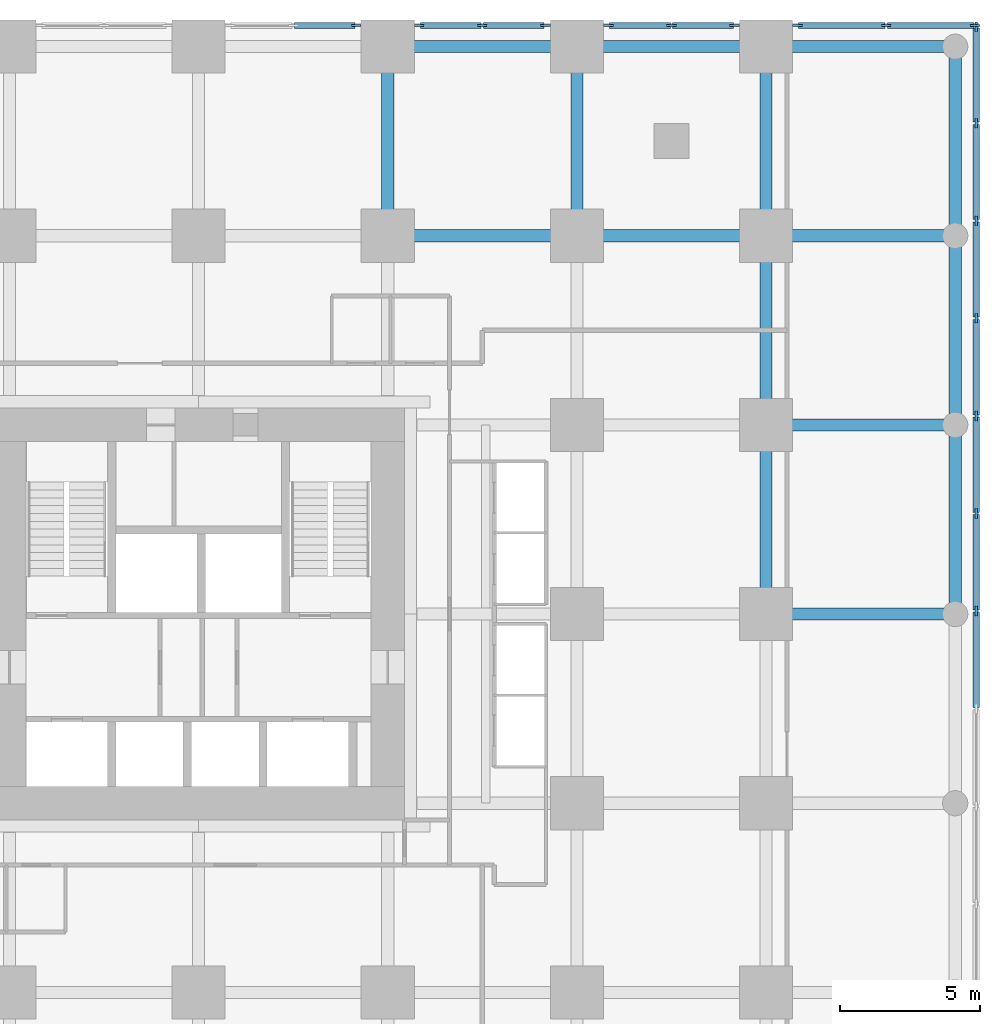
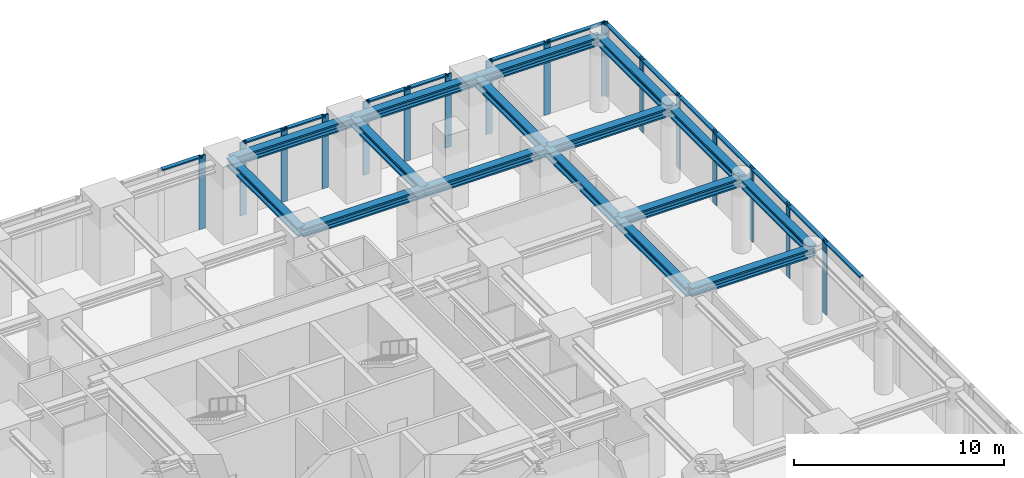
# One storey, part 5 of 10: 31 members, 16 beams, 5 elements without a shape of their own.
"""IFC4 building model written with IfcOpenShell, lengths in metres."""

from ifc_helpers import new_model, si_unit, direction, frame, origin, origin_2d, place, context, subcontext, project, spatial, rectangle, i_section, extrude, material, material_profile, profile_set, type_object, element, aggregate, save


model = new_model("IFC4")

# Units and contexts
model_context = context("Model", 3, precision=1e-05, world=origin(), true_north=direction((0.0, 1.0)))
body_context = subcontext(model_context, "Body", "Model", "MODEL_VIEW")
ifc_project = project(units=[si_unit("LENGTHUNIT", "METRE"), si_unit("AREAUNIT", "SQUARE_METRE"), si_unit("VOLUMEUNIT", "CUBIC_METRE"), si_unit("PLANEANGLEUNIT", "RADIAN"), si_unit("MASSUNIT", "GRAM", prefix="KILO")], contexts=[model_context])

# Site, building, storey
site_placement = place(None, origin())
site = spatial("IfcSite", under=ifc_project, at=site_placement, CompositionType="ELEMENT")
building_placement = place(site_placement, origin())
building = spatial("IfcBuilding", under=site, at=building_placement, Name="Nyansa Garden Tower", CompositionType="ELEMENT")
storey_placement = place(building_placement, frame((0.0, 0.0, 9.0)))
storey = spatial("IfcBuildingStorey", under=building, at=storey_placement, Name="L02", CompositionType="ELEMENT", Elevation=9.0)

# Curtain wall, members
ifc_material_1 = material(Name="Black anodised aluminium, clear double glazing", Category="aluminium")
curtain_wall_type = type_object("IfcCurtainWallType", Name="Podium curtain wall PCW", PredefinedType="USERDEFINED", material=ifc_material_1)
curtain_wall_1_placement = place(storey_placement, origin())
curtain_wall_1 = element("IfcCurtainWall", 1, at=curtain_wall_1_placement, inside=storey, type_object=curtain_wall_type, Name="Podium curtain wall L02 E", ObjectType="STICK CURTAIN WALL", PredefinedType="USERDEFINED")
ifc_material_2 = material(Name="Black anodised aluminium", Category="aluminium")
ifc_material_profile_1 = material_profile(ifc_material_2, rectangle(XDim=0.080078125, YDim=0.35009765625, at=origin_2d()), Name="Mullion 350x80")
ifc_profile_set_1 = profile_set([ifc_material_profile_1], Name="Black anodised aluminium")
member_type_1 = type_object("IfcMemberType", Name="Mullion PCW 350x80", PredefinedType="MULLION", material=ifc_profile_set_1)
member_1_placement = place(storey_placement, frame((48.0, 20.357177734375, 0.0), z_axis=(0.0, 0.0, 1.0), x_axis=(-1.0, 0.0, 0.0)))
member_1 = element("IfcMember", 2, at=member_1_placement, type_object=member_type_1, Name="PCW mullion 9", PredefinedType="MULLION", context=body_context, shape_type="SweptSolid", body=[
    extrude(rectangle(XDim=0.080078125, YDim=0.35009765625, at=origin_2d()), origin(), (0.0, 0.0, 1.0), 4.25),
])
member_2_placement = place(storey_placement, frame((48.0, 23.83935546875, 0.0), z_axis=(0.0, 0.0, 1.0), x_axis=(-1.0, 0.0, 0.0)))
member_2 = element("IfcMember", 3, at=member_2_placement, type_object=member_type_1, Name="PCW mullion 10", PredefinedType="MULLION", context=body_context, shape_type="SweptSolid", body=[
    extrude(rectangle(XDim=0.080078125, YDim=0.35009765625, at=origin_2d()), origin(), (0.0, 0.0, 1.0), 4.25),
])
member_3_placement = place(storey_placement, frame((48.0, 27.321533203125, 0.0), z_axis=(0.0, 0.0, 1.0), x_axis=(-1.0, 0.0, 0.0)))
member_3 = element("IfcMember", 4, at=member_3_placement, type_object=member_type_1, Name="PCW mullion 11", PredefinedType="MULLION", context=body_context, shape_type="SweptSolid", body=[
    extrude(rectangle(XDim=0.080078125, YDim=0.35009765625, at=origin_2d()), origin(), (0.0, 0.0, 1.0), 4.25),
])
member_4_placement = place(storey_placement, frame((48.0, 30.803466796875, 0.0), z_axis=(0.0, 0.0, 1.0), x_axis=(-1.0, 0.0, 0.0)))
member_4 = element("IfcMember", 5, at=member_4_placement, type_object=member_type_1, Name="PCW mullion 12", PredefinedType="MULLION", context=body_context, shape_type="SweptSolid", body=[
    extrude(rectangle(XDim=0.080078125, YDim=0.35009765625, at=origin_2d()), origin(), (0.0, 0.0, 1.0), 4.25),
])
member_5_placement = place(storey_placement, frame((48.0, 34.28564453125, 0.0), z_axis=(0.0, 0.0, 1.0), x_axis=(-1.0, 0.0, 0.0)))
member_5 = element("IfcMember", 6, at=member_5_placement, type_object=member_type_1, Name="PCW mullion 13", PredefinedType="MULLION", context=body_context, shape_type="SweptSolid", body=[
    extrude(rectangle(XDim=0.080078125, YDim=0.35009765625, at=origin_2d()), origin(), (0.0, 0.0, 1.0), 4.25),
])
member_6_placement = place(storey_placement, frame((48.0, 37.767822265625, 0.0), z_axis=(0.0, 0.0, 1.0), x_axis=(-1.0, 0.0, 0.0)))
member_6 = element("IfcMember", 7, at=member_6_placement, type_object=member_type_1, Name="PCW mullion 14", PredefinedType="MULLION", context=body_context, shape_type="SweptSolid", body=[
    extrude(rectangle(XDim=0.080078125, YDim=0.35009765625, at=origin_2d()), origin(), (0.0, 0.0, 1.0), 4.25),
])
member_7_placement = place(storey_placement, frame((48.0, 41.2099609375, 0.0), z_axis=(0.0, 0.0, 1.0), x_axis=(-1.0, 0.0, 0.0)))
member_7 = element("IfcMember", 8, at=member_7_placement, type_object=member_type_1, Name="PCW mullion 15", PredefinedType="MULLION", context=body_context, shape_type="SweptSolid", body=[
    extrude(rectangle(XDim=0.080078125, YDim=0.35009765625, at=origin_2d()), origin(), (0.0, 0.0, 1.0), 4.25),
])

curtain_wall_2_placement = place(storey_placement, origin())
curtain_wall_2 = element("IfcCurtainWall", 9, at=curtain_wall_2_placement, inside=storey, type_object=curtain_wall_type, Name="Podium curtain wall L02 N", ObjectType="STICK CURTAIN WALL", PredefinedType="USERDEFINED")
member_8_placement = place(storey_placement, frame((47.9599609375, 41.25, 0.0), z_axis=(0.0, 0.0, 1.0), x_axis=(0.0, -1.0, 0.0)))
member_8 = element("IfcMember", 10, at=member_8_placement, type_object=member_type_1, Name="PCW mullion 1", PredefinedType="MULLION", context=body_context, shape_type="SweptSolid", body=[
    extrude(rectangle(XDim=0.080078125, YDim=0.35009765625, at=origin_2d()), origin(), (0.0, 0.0, 1.0), 4.25),
])
member_9_placement = place(storey_placement, frame((44.79248046875, 41.25, 0.0), z_axis=(0.0, 0.0, 1.0), x_axis=(0.0, -1.0, 0.0)))
member_9 = element("IfcMember", 11, at=member_9_placement, type_object=member_type_1, Name="PCW mullion 2", PredefinedType="MULLION", context=body_context, shape_type="SweptSolid", body=[
    extrude(rectangle(XDim=0.080078125, YDim=0.35009765625, at=origin_2d()), origin(), (0.0, 0.0, 1.0), 4.25),
])
member_10_placement = place(storey_placement, frame((41.625, 41.25, 0.0), z_axis=(0.0, 0.0, 1.0), x_axis=(0.0, -1.0, 0.0)))
member_10 = element("IfcMember", 12, at=member_10_placement, type_object=member_type_1, Name="PCW mullion 3", PredefinedType="MULLION", context=body_context, shape_type="SweptSolid", body=[
    extrude(rectangle(XDim=0.080078125, YDim=0.35009765625, at=origin_2d()), origin(), (0.0, 0.0, 1.0), 4.25),
])

curtain_wall_3_placement = place(storey_placement, origin())
curtain_wall_3 = element("IfcCurtainWall", 13, at=curtain_wall_3_placement, inside=storey, type_object=curtain_wall_type, Name="Podium curtain wall L02 N", ObjectType="STICK CURTAIN WALL", PredefinedType="USERDEFINED")
member_11_placement = place(storey_placement, frame((39.375, 41.25, 0.0), z_axis=(0.0, 0.0, 1.0), x_axis=(0.0, -1.0, 0.0)))
member_11 = element("IfcMember", 14, at=member_11_placement, type_object=member_type_1, Name="PCW mullion 1", PredefinedType="MULLION", context=body_context, shape_type="SweptSolid", body=[
    extrude(rectangle(XDim=0.080078125, YDim=0.35009765625, at=origin_2d()), origin(), (0.0, 0.0, 1.0), 4.25),
])
member_12_placement = place(storey_placement, frame((37.125, 41.25, 0.0), z_axis=(0.0, 0.0, 1.0), x_axis=(0.0, -1.0, 0.0)))
member_12 = element("IfcMember", 15, at=member_12_placement, type_object=member_type_1, Name="PCW mullion 2", PredefinedType="MULLION", context=body_context, shape_type="SweptSolid", body=[
    extrude(rectangle(XDim=0.080078125, YDim=0.35009765625, at=origin_2d()), origin(), (0.0, 0.0, 1.0), 4.25),
])
member_13_placement = place(storey_placement, frame((34.875, 41.25, 0.0), z_axis=(0.0, 0.0, 1.0), x_axis=(0.0, -1.0, 0.0)))
member_13 = element("IfcMember", 16, at=member_13_placement, type_object=member_type_1, Name="PCW mullion 3", PredefinedType="MULLION", context=body_context, shape_type="SweptSolid", body=[
    extrude(rectangle(XDim=0.080078125, YDim=0.35009765625, at=origin_2d()), origin(), (0.0, 0.0, 1.0), 4.25),
])

curtain_wall_4_placement = place(storey_placement, origin())
curtain_wall_4 = element("IfcCurtainWall", 17, at=curtain_wall_4_placement, inside=storey, type_object=curtain_wall_type, Name="Podium curtain wall L02 N", ObjectType="STICK CURTAIN WALL", PredefinedType="USERDEFINED")
member_14_placement = place(storey_placement, frame((32.625, 41.25, 0.0), z_axis=(0.0, 0.0, 1.0), x_axis=(0.0, -1.0, 0.0)))
member_14 = element("IfcMember", 18, at=member_14_placement, type_object=member_type_1, Name="PCW mullion 1", PredefinedType="MULLION", context=body_context, shape_type="SweptSolid", body=[
    extrude(rectangle(XDim=0.080078125, YDim=0.35009765625, at=origin_2d()), origin(), (0.0, 0.0, 1.0), 4.25),
])
member_15_placement = place(storey_placement, frame((30.375, 41.25, 0.0), z_axis=(0.0, 0.0, 1.0), x_axis=(0.0, -1.0, 0.0)))
member_15 = element("IfcMember", 19, at=member_15_placement, type_object=member_type_1, Name="PCW mullion 2", PredefinedType="MULLION", context=body_context, shape_type="SweptSolid", body=[
    extrude(rectangle(XDim=0.080078125, YDim=0.35009765625, at=origin_2d()), origin(), (0.0, 0.0, 1.0), 4.25),
])
member_16_placement = place(storey_placement, frame((28.125, 41.25, 0.0), z_axis=(0.0, 0.0, 1.0), x_axis=(0.0, -1.0, 0.0)))
member_16 = element("IfcMember", 20, at=member_16_placement, type_object=member_type_1, Name="PCW mullion 3", PredefinedType="MULLION", context=body_context, shape_type="SweptSolid", body=[
    extrude(rectangle(XDim=0.080078125, YDim=0.35009765625, at=origin_2d()), origin(), (0.0, 0.0, 1.0), 4.25),
])

# Curtain wall, member
curtain_wall_5_placement = place(storey_placement, origin())
curtain_wall_5 = element("IfcCurtainWall", 21, at=curtain_wall_5_placement, inside=storey, type_object=curtain_wall_type, Name="Podium curtain wall L02 N", ObjectType="STICK CURTAIN WALL", PredefinedType="USERDEFINED")
member_17_placement = place(storey_placement, frame((25.875, 41.25, 0.0), z_axis=(0.0, 0.0, 1.0), x_axis=(0.0, -1.0, 0.0)))
member_17 = element("IfcMember", 22, at=member_17_placement, type_object=member_type_1, Name="PCW mullion 1", PredefinedType="MULLION", context=body_context, shape_type="SweptSolid", body=[
    extrude(rectangle(XDim=0.080078125, YDim=0.35009765625, at=origin_2d()), origin(), (0.0, 0.0, 1.0), 4.25),
])

# Beams
ifc_material_3 = material(Name="Steel S355", Category="steel")
ifc_material_profile_2 = material_profile(ifc_material_3, i_section(OverallWidth=0.431884765625, OverallDepth=0.498046875, WebThickness=0.0556640625, FlangeThickness=0.0888671875, FilletRadius=0.014892578125, at=origin_2d()), Name="HD 400x744")
ifc_profile_set_2 = profile_set([ifc_material_profile_2], Name="Steel S355")
beam_type_1 = type_object("IfcBeamType", Name="Steel beam SBP1-744 HD 400x744", PredefinedType="BEAM", material=ifc_profile_set_2)
for number, where, z_axis, x_axis, name in (
    (23, (27.0, 33.75, 4.0009765625), (0.0, 1.0, 0.0), (-1.0, 0.0, 0.0), "Steel beam 6/J-6/K L03"),
    (24, (27.0, 33.75, 4.0009765625), (1.0, 0.0, 0.0), (0.0, 1.0, 0.0), "Steel beam 6/J-7/J L03"),
    (25, (33.75, 33.75, 4.0009765625), (0.0, 1.0, 0.0), (-1.0, 0.0, 0.0), "Steel beam 7/J-7/K L03"),
    (26, (33.75, 33.75, 4.0009765625), (1.0, 0.0, 0.0), (0.0, 1.0, 0.0), "Steel beam 7/J-8/J L03"),
    (27, (40.5, 20.25, 4.0009765625), (0.0, 1.0, 0.0), (-1.0, 0.0, 0.0), "Steel beam 8/G-8/H L03"),
    (28, (40.5, 20.25, 4.0009765625), (1.0, 0.0, 0.0), (0.0, 1.0, 0.0), "Steel beam 8/G-9/G L03"),
    (29, (40.5, 27.0, 4.0009765625), (0.0, 1.0, 0.0), (-1.0, 0.0, 0.0), "Steel beam 8/H-8/J L03"),
    (30, (40.5, 27.0, 4.0009765625), (1.0, 0.0, 0.0), (0.0, 1.0, 0.0), "Steel beam 8/H-9/H L03"),
    (31, (40.5, 33.75, 4.0009765625), (0.0, 1.0, 0.0), (-1.0, 0.0, 0.0), "Steel beam 8/J-8/K L03"),
    (32, (40.5, 33.75, 4.0009765625), (1.0, 0.0, 0.0), (0.0, 1.0, 0.0), "Steel beam 8/J-9/J L03"),
):
    element("IfcBeam", number, at=place(storey_placement, frame(where, z_axis=z_axis, x_axis=x_axis)), inside=storey, type_object=beam_type_1, Name=name, PredefinedType="BEAM", context=body_context, shape_type="SweptSolid", body=[
        extrude(i_section(OverallWidth=0.431884765625, OverallDepth=0.498046875, WebThickness=0.0556640625, FlangeThickness=0.0888671875, FilletRadius=0.014892578125, at=origin_2d()), origin(), (0.0, 0.0, 1.0), 6.75),
    ])
ifc_material_4 = material(Name="Steel S355", Category="steel")
ifc_material_profile_3 = material_profile(ifc_material_4, i_section(OverallWidth=0.431884765625, OverallDepth=0.498046875, WebThickness=0.0556640625, FlangeThickness=0.0888671875, FilletRadius=0.014892578125, at=origin_2d()), Name="HD 400x744")
ifc_profile_set_3 = profile_set([ifc_material_profile_3], Name="Steel S355")
beam_type_2 = type_object("IfcBeamType", Name="Steel beam SEBP-744 HD 400x744", PredefinedType="BEAM", material=ifc_profile_set_3)
for number, where, z_axis, x_axis, name in (
    (33, (27.0, 40.5, 4.0009765625), (1.0, 0.0, 0.0), (0.0, 1.0, 0.0), "Steel edge beam 6/K-7/K L03"),
    (34, (33.75, 40.5, 4.0009765625), (1.0, 0.0, 0.0), (0.0, 1.0, 0.0), "Steel edge beam 7/K-8/K L03"),
    (35, (40.5, 40.5, 4.0009765625), (1.0, 0.0, 0.0), (0.0, 1.0, 0.0), "Steel edge beam 8/K-9/K L03"),
    (36, (47.25, 20.25, 4.0009765625), (0.0, 1.0, 0.0), (-1.0, 0.0, 0.0), "Steel edge beam 9/G-9/H L03"),
    (37, (47.25, 27.0, 4.0009765625), (0.0, 1.0, 0.0), (-1.0, 0.0, 0.0), "Steel edge beam 9/H-9/J L03"),
    (38, (47.25, 33.75, 4.0009765625), (0.0, 1.0, 0.0), (-1.0, 0.0, 0.0), "Steel edge beam 9/J-9/K L03"),
):
    element("IfcBeam", number, at=place(storey_placement, frame(where, z_axis=z_axis, x_axis=x_axis)), inside=storey, type_object=beam_type_2, Name=name, PredefinedType="BEAM", context=body_context, shape_type="SweptSolid", body=[
        extrude(i_section(OverallWidth=0.431884765625, OverallDepth=0.498046875, WebThickness=0.0556640625, FlangeThickness=0.0888671875, FilletRadius=0.014892578125, at=origin_2d()), origin(), (0.0, 0.0, 1.0), 6.75),
    ])

# Member
ifc_material_5 = material(Name="Black anodised aluminium", Category="aluminium")
ifc_material_profile_4 = material_profile(ifc_material_5, rectangle(XDim=0.219970703125, YDim=0.080078125, at=origin_2d()), Name="Transom 220x80")
ifc_profile_set_4 = profile_set([ifc_material_profile_4], Name="Black anodised aluminium")
member_type_2 = type_object("IfcMemberType", Name="Transom PCW 220x80", PredefinedType="USERDEFINED", material=ifc_profile_set_4)
member_18_placement = place(storey_placement, frame((48.0, 16.9150390625, 4.2099609375), z_axis=(0.0, 1.0, 0.0), x_axis=(-1.0, 0.0, 0.0)))
member_18 = element("IfcMember", 39, at=member_18_placement, type_object=member_type_2, Name="PCW transom 8", ObjectType="TRANSOM", PredefinedType="USERDEFINED", context=body_context, shape_type="SweptSolid", body=[
    extrude(rectangle(XDim=0.219970703125, YDim=0.080078125, at=origin_2d()), origin(), (0.0, 0.0, 1.0), 3.402099609375),
])

member_19_placement = place(storey_placement, frame((48.0, 20.397216796875, 4.2099609375), z_axis=(0.0, 1.0, 0.0), x_axis=(-1.0, 0.0, 0.0)))
member_19 = element("IfcMember", 40, at=member_19_placement, type_object=member_type_2, Name="PCW transom 9", ObjectType="TRANSOM", PredefinedType="USERDEFINED", context=body_context, shape_type="SweptSolid", body=[
    extrude(rectangle(XDim=0.219970703125, YDim=0.080078125, at=origin_2d()), origin(), (0.0, 0.0, 1.0), 3.402099609375),
])

member_20_placement = place(storey_placement, frame((48.0, 23.87939453125, 4.2099609375), z_axis=(0.0, 1.0, 0.0), x_axis=(-1.0, 0.0, 0.0)))
member_20 = element("IfcMember", 41, at=member_20_placement, type_object=member_type_2, Name="PCW transom 10", ObjectType="TRANSOM", PredefinedType="USERDEFINED", context=body_context, shape_type="SweptSolid", body=[
    extrude(rectangle(XDim=0.219970703125, YDim=0.080078125, at=origin_2d()), origin(), (0.0, 0.0, 1.0), 3.402099609375),
])

member_21_placement = place(storey_placement, frame((48.0, 27.361328125, 4.2099609375), z_axis=(0.0, 1.0, 0.0), x_axis=(-1.0, 0.0, 0.0)))
member_21 = element("IfcMember", 42, at=member_21_placement, type_object=member_type_2, Name="PCW transom 11", ObjectType="TRANSOM", PredefinedType="USERDEFINED", context=body_context, shape_type="SweptSolid", body=[
    extrude(rectangle(XDim=0.219970703125, YDim=0.080078125, at=origin_2d()), origin(), (0.0, 0.0, 1.0), 3.40234375),
])

member_22_placement = place(storey_placement, frame((48.0, 30.843505859375, 4.2099609375), z_axis=(0.0, 1.0, 0.0), x_axis=(-1.0, 0.0, 0.0)))
member_22 = element("IfcMember", 43, at=member_22_placement, type_object=member_type_2, Name="PCW transom 12", ObjectType="TRANSOM", PredefinedType="USERDEFINED", context=body_context, shape_type="SweptSolid", body=[
    extrude(rectangle(XDim=0.219970703125, YDim=0.080078125, at=origin_2d()), origin(), (0.0, 0.0, 1.0), 3.402099609375),
])

member_23_placement = place(storey_placement, frame((48.0, 34.32568359375, 4.2099609375), z_axis=(0.0, 1.0, 0.0), x_axis=(-1.0, 0.0, 0.0)))
member_23 = element("IfcMember", 44, at=member_23_placement, type_object=member_type_2, Name="PCW transom 13", ObjectType="TRANSOM", PredefinedType="USERDEFINED", context=body_context, shape_type="SweptSolid", body=[
    extrude(rectangle(XDim=0.219970703125, YDim=0.080078125, at=origin_2d()), origin(), (0.0, 0.0, 1.0), 3.402099609375),
])

member_24_placement = place(storey_placement, frame((48.0, 37.807861328125, 4.2099609375), z_axis=(0.0, 1.0, 0.0), x_axis=(-1.0, 0.0, 0.0)))
member_24 = element("IfcMember", 45, at=member_24_placement, type_object=member_type_2, Name="PCW transom 14", ObjectType="TRANSOM", PredefinedType="USERDEFINED", context=body_context, shape_type="SweptSolid", body=[
    extrude(rectangle(XDim=0.219970703125, YDim=0.080078125, at=origin_2d()), origin(), (0.0, 0.0, 1.0), 3.362060546875),
])

aggregate(curtain_wall_1, [member_1, member_2, member_3, member_4, member_5, member_6, member_7, member_18, member_19, member_20, member_21, member_22, member_23, member_24])

member_25_placement = place(storey_placement, frame((47.919921875, 41.25, 4.2099609375), z_axis=(-1.0, 0.0, 0.0), x_axis=(0.0, -1.0, 0.0)))
member_25 = element("IfcMember", 46, at=member_25_placement, type_object=member_type_2, Name="PCW transom 1", ObjectType="TRANSOM", PredefinedType="USERDEFINED", context=body_context, shape_type="SweptSolid", body=[
    extrude(rectangle(XDim=0.219970703125, YDim=0.080078125, at=origin_2d()), origin(), (0.0, 0.0, 1.0), 3.08740234375),
])

member_26_placement = place(storey_placement, frame((44.75244140625, 41.25, 4.2099609375), z_axis=(-1.0, 0.0, 0.0), x_axis=(0.0, -1.0, 0.0)))
member_26 = element("IfcMember", 47, at=member_26_placement, type_object=member_type_2, Name="PCW transom 2", ObjectType="TRANSOM", PredefinedType="USERDEFINED", context=body_context, shape_type="SweptSolid", body=[
    extrude(rectangle(XDim=0.219970703125, YDim=0.080078125, at=origin_2d()), origin(), (0.0, 0.0, 1.0), 3.08740234375),
])

aggregate(curtain_wall_2, [member_8, member_9, member_10, member_25, member_26])

member_27_placement = place(storey_placement, frame((39.3349609375, 41.25, 4.2099609375), z_axis=(-1.0, 0.0, 0.0), x_axis=(0.0, -1.0, 0.0)))
member_27 = element("IfcMember", 48, at=member_27_placement, type_object=member_type_2, Name="PCW transom 1", ObjectType="TRANSOM", PredefinedType="USERDEFINED", context=body_context, shape_type="SweptSolid", body=[
    extrude(rectangle(XDim=0.219970703125, YDim=0.080078125, at=origin_2d()), origin(), (0.0, 0.0, 1.0), 2.169921875),
])

member_28_placement = place(storey_placement, frame((37.0849609375, 41.25, 4.2099609375), z_axis=(-1.0, 0.0, 0.0), x_axis=(0.0, -1.0, 0.0)))
member_28 = element("IfcMember", 49, at=member_28_placement, type_object=member_type_2, Name="PCW transom 2", ObjectType="TRANSOM", PredefinedType="USERDEFINED", context=body_context, shape_type="SweptSolid", body=[
    extrude(rectangle(XDim=0.219970703125, YDim=0.080078125, at=origin_2d()), origin(), (0.0, 0.0, 1.0), 2.169921875),
])

aggregate(curtain_wall_3, [member_11, member_12, member_13, member_27, member_28])

member_29_placement = place(storey_placement, frame((32.5849609375, 41.25, 4.2099609375), z_axis=(-1.0, 0.0, 0.0), x_axis=(0.0, -1.0, 0.0)))
member_29 = element("IfcMember", 50, at=member_29_placement, type_object=member_type_2, Name="PCW transom 1", ObjectType="TRANSOM", PredefinedType="USERDEFINED", context=body_context, shape_type="SweptSolid", body=[
    extrude(rectangle(XDim=0.219970703125, YDim=0.080078125, at=origin_2d()), origin(), (0.0, 0.0, 1.0), 2.169921875),
])

member_30_placement = place(storey_placement, frame((30.3349609375, 41.25, 4.2099609375), z_axis=(-1.0, 0.0, 0.0), x_axis=(0.0, -1.0, 0.0)))
member_30 = element("IfcMember", 51, at=member_30_placement, type_object=member_type_2, Name="PCW transom 2", ObjectType="TRANSOM", PredefinedType="USERDEFINED", context=body_context, shape_type="SweptSolid", body=[
    extrude(rectangle(XDim=0.219970703125, YDim=0.080078125, at=origin_2d()), origin(), (0.0, 0.0, 1.0), 2.169921875),
])

aggregate(curtain_wall_4, [member_14, member_15, member_16, member_29, member_30])

member_31_placement = place(storey_placement, frame((25.8349609375, 41.25, 4.2099609375), z_axis=(-1.0, 0.0, 0.0), x_axis=(0.0, -1.0, 0.0)))
member_31 = element("IfcMember", 52, at=member_31_placement, type_object=member_type_2, Name="PCW transom 1", ObjectType="TRANSOM", PredefinedType="USERDEFINED", context=body_context, shape_type="SweptSolid", body=[
    extrude(rectangle(XDim=0.219970703125, YDim=0.080078125, at=origin_2d()), origin(), (0.0, 0.0, 1.0), 2.169921875),
])

aggregate(curtain_wall_5, [member_17, member_31])

save(model, "model.ifc")
